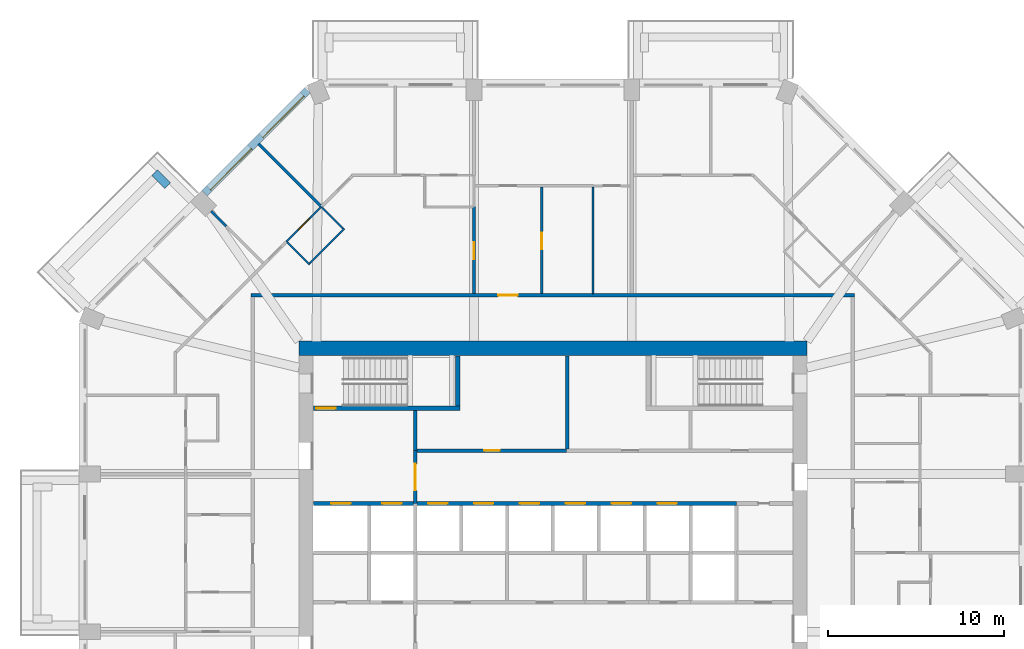
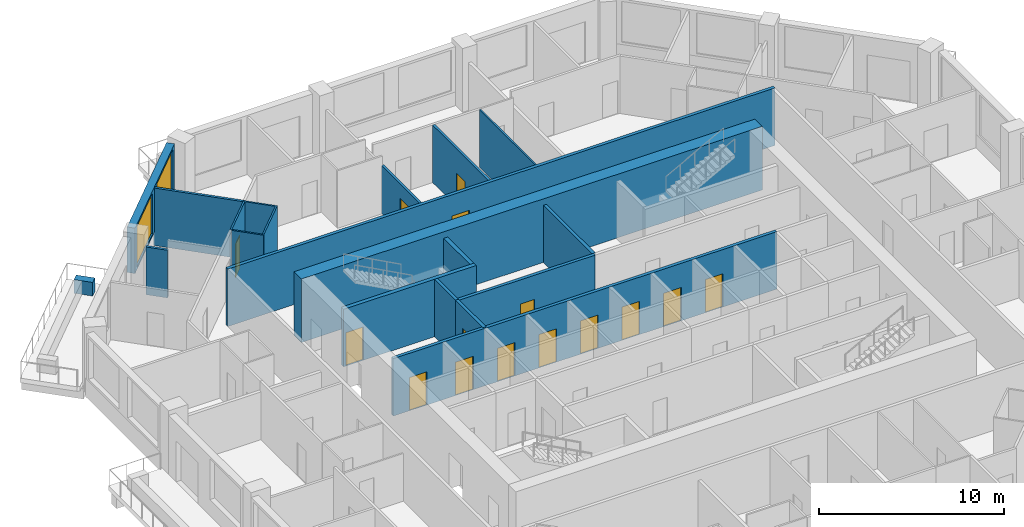
# One storey, part 8 of 13: 20 walls, 15 doors, 2 windows, 17 openings.
"""IFC4 building model written with IfcOpenShell, lengths in metres."""

from ifc_helpers import new_model, si_unit, direction, frame, frame_2d, origin, place, context, subcontext, project, spatial, rectangle, extrude, material, layer, layer_set, type_object, element, fill, save


model = new_model("IFC4")

# Units and contexts
model_context = context("Model", 3, precision=1e-05, world=origin(), true_north=direction((0.0, 1.0)))
body_context = subcontext(model_context, "Body", "Model", "MODEL_VIEW")
ifc_project = project(units=[si_unit("LENGTHUNIT", "METRE"), si_unit("AREAUNIT", "SQUARE_METRE"), si_unit("VOLUMEUNIT", "CUBIC_METRE"), si_unit("PLANEANGLEUNIT", "RADIAN"), si_unit("MASSUNIT", "GRAM", prefix="KILO")], contexts=[model_context])

# Site, building, storey
site_placement = place(None, origin())
site = spatial("IfcSite", under=ifc_project, at=site_placement, CompositionType="ELEMENT")
building_placement = place(site_placement, origin())
building = spatial("IfcBuilding", under=site, at=building_placement, Name="Msitu Wima Residences", CompositionType="ELEMENT")
storey_placement = place(building_placement, frame((0.0, 0.0, 144.300048828125)))
storey = spatial("IfcBuildingStorey", under=building, at=storey_placement, Name="L33", CompositionType="ELEMENT", Elevation=144.300048828125)

# Wall
ifc_material_1 = material(Name="Facing brick")
ifc_layer_1 = layer(ifc_material_1, 0.06494140625, Name="Facing brick")
ifc_material_2 = material(Name="Concrete C40/50", Category="concrete")
ifc_layer_2 = layer(ifc_material_2, 0.156005859375, Name="Concrete C40/50")
ifc_material_3 = material(Name="Waterproofing membrane")
ifc_layer_3 = layer(ifc_material_3, 0.00390625, Name="Waterproofing membrane")
ifc_material_4 = material(Name="Planting soil and planting")
ifc_layer_4 = layer(ifc_material_4, 0.22509765625, Name="Planting soil and planting")
ifc_layer_set_1 = layer_set([ifc_layer_1, ifc_layer_2, ifc_layer_3, ifc_layer_4], Name="Concrete C40/50")
wall_type_1 = type_object("IfcWallType", Name="Balcony planter PLANTER PL450", PredefinedType="USERDEFINED", material=ifc_layer_set_1)
wall_1_placement = place(storey_placement, frame((-21.829833984375, 20.804443359375, 0.0), z_axis=(0.0, 0.0, 1.0), x_axis=(-0.707106781187, 0.707106781187, 0.0)))
element("IfcWall", 1, at=wall_1_placement, inside=storey, type_object=wall_type_1, Name="Balcony planter NW1 L33", ObjectType="PLANTER", PredefinedType="USERDEFINED", context=body_context, shape_type="SweptSolid", body=[
    extrude(rectangle(XDim=1.050048828125, YDim=0.449951171875, at=frame_2d((0.52490234375, 0.0))), origin(), (0.0, 0.0, 1.0), 0.89990234375),
])

# Wall, openings, windows
ifc_material_5 = material(Name="Brick (red buff mix)", Category="masonry")
ifc_layer_5 = layer(ifc_material_5, 0.449951171875)
ifc_layer_set_2 = layer_set([ifc_layer_5], Name="Brick (red buff mix)")
wall_type_2 = type_object("IfcWallType", Name="Brick infill wall BW450", PredefinedType="SOLIDWALL", material=ifc_layer_set_2)
wall_2_placement = place(storey_placement, frame((-13.909423828125, 26.214599609375, 0.89990234375), z_axis=(0.0, 0.0, 1.0), x_axis=(-0.707106781187, -0.707106781187, 0.0)))
wall_2 = element("IfcWall", 2, at=wall_2_placement, inside=storey, type_object=wall_type_2, Name="Brick infill wall L33 NW0", PredefinedType="SOLIDWALL", context=body_context, shape_type="SweptSolid", body=[
    extrude(rectangle(XDim=8.251220703125, YDim=0.449951171875, at=frame_2d((4.12548828125, 0.0))), origin(), (0.0, 0.0, 1.0), 3.0),
])
opening_1_placement = place(wall_2_placement, frame((0.37548828125, 0.0, 0.14990234375)))
opening_1 = element("IfcOpeningElement", 3, at=opening_1_placement, cuts=wall_2, Name="Opening W33.013", PredefinedType="OPENING", context=body_context, shape_type="SweptSolid", body=[
    extrude(rectangle(XDim=3.300048828125, YDim=2.699951171875, at=frame_2d((1.64990234375, 1.35009765625))), frame((0.0, 0.23486328125, 0.0), z_axis=(0.0, -1.0, 0.0), x_axis=(1.0, 0.0, 0.0)), (0.0, 0.0, 1.0), 0.469970703125),
])
opening_2_placement = place(wall_2_placement, frame((4.57568359375, 0.0, 0.14990234375)))
opening_2 = element("IfcOpeningElement", 4, at=opening_2_placement, cuts=wall_2, Name="Opening W33.014", PredefinedType="OPENING", context=body_context, shape_type="SweptSolid", body=[
    extrude(rectangle(XDim=3.300048828125, YDim=2.699951171875, at=frame_2d((1.64990234375, 1.35009765625))), frame((0.0, 0.23486328125, 0.0), z_axis=(0.0, -1.0, 0.0), x_axis=(1.0, 0.0, 0.0)), (0.0, 0.0, 1.0), 0.469970703125),
])
ifc_material_6 = material(Name="Anodised aluminium, bronze finish, clear low-emissivity double glazing", Category="aluminium")
window_type = type_object("IfcWindowType", Name="Window W3300x2700", PartitioningType="DOUBLE_PANEL_VERTICAL", PredefinedType="WINDOW", material=ifc_material_6)
window_1_placement = place(opening_1_placement, origin())
window_1 = element("IfcWindow", 5, at=window_1_placement, inside=storey, type_object=window_type, Name="Window L33 NW0.1", OverallHeight=2.699951171875, OverallWidth=3.300048828125, PartitioningType="SINGLE_PANEL", PredefinedType="WINDOW", context=body_context, shape_type="SweptSolid", body=[
    extrude(rectangle(XDim=3.300048828125, YDim=2.699951171875, at=frame_2d((1.64990234375, 1.35009765625))), frame((0.0, 0.135009765625, 0.0), z_axis=(0.0, -1.0, 0.0), x_axis=(1.0, 0.0, 0.0)), (0.0, 0.0, 1.0), 0.06005859375),
])
fill(opening_1, window_1)
window_2_placement = place(opening_2_placement, origin())
window_2 = element("IfcWindow", 6, at=window_2_placement, inside=storey, type_object=window_type, Name="Window L33 NW0.2", OverallHeight=2.699951171875, OverallWidth=3.300048828125, PartitioningType="SINGLE_PANEL", PredefinedType="WINDOW", context=body_context, shape_type="SweptSolid", body=[
    extrude(rectangle(XDim=3.300048828125, YDim=2.699951171875, at=frame_2d((1.64990234375, 1.35009765625))), frame((0.0, 0.135009765625, 0.0), z_axis=(0.0, -1.0, 0.0), x_axis=(1.0, 0.0, 0.0)), (0.0, 0.0, 1.0), 0.06005859375),
])
fill(opening_2, window_2)

# Wall
ifc_material_7 = material(Name="Concrete C70/85", Category="concrete")
ifc_layer_6 = layer(ifc_material_7, 0.800048828125)
ifc_layer_set_3 = layer_set([ifc_layer_6], Name="Concrete C70/85")
wall_type_3 = type_object("IfcWallType", Name="Core wall CW800 C70/85", PredefinedType="SHEAR", material=ifc_layer_set_3)
wall_3_placement = place(storey_placement, frame((-14.39990234375, 11.60009765625, 0.0), z_axis=(0.0, 0.0, 1.0), x_axis=(1.0, 0.0, 0.0)))
element("IfcWall", 7, at=wall_3_placement, inside=storey, type_object=wall_type_3, Name="Core wall", PredefinedType="SHEAR", context=body_context, shape_type="SweptSolid", body=[
    extrude(rectangle(XDim=28.7998046875, YDim=0.800048828125, at=frame_2d((14.39990234375, 0.0))), origin(), (0.0, 0.0, 1.0), 4.199951171875),
])

# Wall, opening, door
ifc_material_8 = material(Name="Plaster")
ifc_layer_7 = layer(ifc_material_8, 0.011962890625, Name="Plaster")
ifc_material_9 = material(Name="Concrete blockwork", Category="masonry")
ifc_layer_8 = layer(ifc_material_9, 0.176025390625, Name="Concrete blockwork")
ifc_layer_9 = layer(ifc_material_8, 0.011962890625, Name="Plaster")
ifc_layer_set_4 = layer_set([ifc_layer_7, ifc_layer_8, ifc_layer_9], Name="Concrete blockwork")
wall_type_4 = type_object("IfcWallType", Name="Corridor wall FW200", PredefinedType="PARTITIONING", material=ifc_layer_set_4)
wall_4_placement = place(storey_placement, frame((-17.10009765625, 14.60009765625, 0.0), z_axis=(0.0, 0.0, 1.0), x_axis=(1.0, 0.0, 0.0)))
wall_4 = element("IfcWall", 8, at=wall_4_placement, inside=storey, type_object=wall_type_4, Name="Corridor wall", PredefinedType="PARTITIONING", context=body_context, shape_type="SweptSolid", body=[
    extrude(rectangle(XDim=34.2001953125, YDim=0.199951171875, at=frame_2d((17.10009765625, 0.0))), origin(), (0.0, 0.0, 1.0), 3.7978515625),
])
opening_3_placement = place(wall_4_placement, frame((14.0, 0.0, 0.0)))
opening_3 = element("IfcOpeningElement", 9, at=opening_3_placement, cuts=wall_4, Name="Opening D33.012", PredefinedType="OPENING", context=body_context, shape_type="SweptSolid", body=[
    extrude(rectangle(XDim=1.10009765625, YDim=2.39990234375, at=frame_2d((0.550048828125, 1.199951171875))), frame((0.0, 0.10986328125, 0.0), z_axis=(0.0, -1.0, 0.0), x_axis=(1.0, 0.0, 0.0)), (0.0, 0.0, 1.0), 0.219970703125),
])
ifc_material_10 = material(Name="Timber flush door, fire resisting, self-closing", Category="wood")
door_type_1 = type_object("IfcDoorType", Name="Flat entrance door D01 1100x2400", OperationType="SINGLE_SWING_LEFT", PredefinedType="DOOR", material=ifc_material_10)
door_1_placement = place(opening_3_placement, origin())
door_1 = element("IfcDoor", 10, at=door_1_placement, inside=storey, type_object=door_type_1, Name="Flat entrance door", OperationType="SINGLE_SWING_LEFT", OverallHeight=2.39990234375, OverallWidth=1.10009765625, PredefinedType="DOOR", context=body_context, shape_type="SweptSolid", body=[
    extrude(rectangle(XDim=1.10009765625, YDim=2.39990234375, at=frame_2d((0.550048828125, 1.199951171875))), frame((0.0, 0.02490234375, 0.0), z_axis=(0.0, -1.0, 0.0), x_axis=(1.0, 0.0, 0.0)), (0.0, 0.0, 1.0), 0.050048828125),
])
fill(opening_3, door_1)

wall_5_placement = place(storey_placement, frame((-7.800048828125, 2.800048828125, 0.0), z_axis=(0.0, 0.0, 1.0), x_axis=(0.0, 1.0, 0.0)))
wall_5 = element("IfcWall", 11, at=wall_5_placement, inside=storey, type_object=wall_type_4, Name="Corridor wall", PredefinedType="PARTITIONING", context=body_context, shape_type="SweptSolid", body=[
    extrude(rectangle(XDim=3.0, YDim=0.199951171875, at=frame_2d((1.5, 0.0))), origin(), (0.0, 0.0, 1.0), 3.7978515625),
])
opening_4_placement = place(wall_5_placement, frame((0.75, 0.0, 0.0)))
opening_4 = element("IfcOpeningElement", 12, at=opening_4_placement, cuts=wall_5, Name="Opening D33.017", PredefinedType="OPENING", context=body_context, shape_type="SweptSolid", body=[
    extrude(rectangle(XDim=1.5, YDim=2.39990234375, at=frame_2d((0.75, 1.199951171875))), frame((0.0, 0.10986328125, 0.0), z_axis=(0.0, -1.0, 0.0), x_axis=(1.0, 0.0, 0.0)), (0.0, 0.0, 1.0), 0.219970703125),
])
ifc_material_11 = material(Name="Steel framed glazed door, fire resisting", Category="steel")
door_type_2 = type_object("IfcDoorType", Name="Lobby door D07 1500x2400", OperationType="DOUBLE_DOOR_SINGLE_SWING", PredefinedType="DOOR", material=ifc_material_11)
door_2_placement = place(opening_4_placement, origin())
door_2 = element("IfcDoor", 13, at=door_2_placement, inside=storey, type_object=door_type_2, Name="Lobby door", OperationType="DOUBLE_DOOR_SINGLE_SWING", OverallHeight=2.39990234375, OverallWidth=1.5, PredefinedType="DOOR", context=body_context, shape_type="SweptSolid", body=[
    extrude(rectangle(XDim=1.5, YDim=2.39990234375, at=frame_2d((0.75, 1.199951171875))), frame((0.0, 0.02490234375, 0.0), z_axis=(0.0, -1.0, 0.0), x_axis=(1.0, 0.0, 0.0)), (0.0, 0.0, 1.0), 0.050048828125),
])
fill(opening_4, door_2)

# Walls
ifc_layer_10 = layer(ifc_material_8, 0.011962890625, Name="Plaster")
ifc_layer_11 = layer(ifc_material_9, 0.1259765625, Name="Concrete blockwork")
ifc_layer_12 = layer(ifc_material_8, 0.011962890625, Name="Plaster")
ifc_layer_set_5 = layer_set([ifc_layer_10, ifc_layer_11, ifc_layer_12], Name="Concrete blockwork")
wall_type_5 = type_object("IfcWallType", Name="Partition PW150", PredefinedType="PARTITIONING", material=ifc_layer_set_5)
wall_6_placement = place(storey_placement, frame((-19.37255859375, 19.37255859375, 0.0), z_axis=(0.0, 0.0, 1.0), x_axis=(0.707106781187, -0.707106781187, 0.0)))
element("IfcWall", 14, at=wall_6_placement, inside=storey, type_object=wall_type_5, Name="Partition", PredefinedType="PARTITIONING", context=body_context, shape_type="SweptSolid", body=[
    extrude(rectangle(XDim=1.209228515625, YDim=0.14990234375, at=frame_2d((0.6044921875, 0.0))), origin(), (0.0, 0.0, 1.0), 3.14990234375),
])
wall_7_placement = place(storey_placement, frame((-16.693359375, 23.1904296875, 0.0), z_axis=(0.0, 0.0, 1.0), x_axis=(0.707106781187, -0.707106781187, 0.0)))
element("IfcWall", 15, at=wall_7_placement, inside=storey, type_object=wall_type_5, Name="Partition", PredefinedType="PARTITIONING", context=body_context, shape_type="SweptSolid", body=[
    extrude(rectangle(XDim=5.0751953125, YDim=0.14990234375, at=frame_2d((2.53759765625, 0.0))), origin(), (0.0, 0.0, 1.0), 3.7978515625),
])

# Wall, opening, door
wall_8_placement = place(storey_placement, frame((-4.46875, 14.699951171875, 0.0), z_axis=(0.0, 0.0, 1.0), x_axis=(0.0, 1.0, 0.0)))
wall_8 = element("IfcWall", 16, at=wall_8_placement, inside=storey, type_object=wall_type_5, Name="Partition", PredefinedType="PARTITIONING", context=body_context, shape_type="SweptSolid", body=[
    extrude(rectangle(XDim=4.920166015625, YDim=0.14990234375, at=frame_2d((2.4599609375, 0.0))), origin(), (0.0, 0.0, 1.0), 3.14990234375),
])
opening_5_placement = place(wall_8_placement, frame((1.949951171875, 0.0, 0.0)))
opening_5 = element("IfcOpeningElement", 17, at=opening_5_placement, cuts=wall_8, Name="Opening D33.044", PredefinedType="OPENING", context=body_context, shape_type="SweptSolid", body=[
    extrude(rectangle(XDim=0.949951171875, YDim=2.199951171875, at=frame_2d((0.47509765625, 1.10009765625))), frame((0.0, 0.0849609375, 0.0), z_axis=(0.0, -1.0, 0.0), x_axis=(1.0, 0.0, 0.0)), (0.0, 0.0, 1.0), 0.169921875),
])
ifc_material_12 = material(Name="Timber flush door", Category="wood")
door_type_3 = type_object("IfcDoorType", Name="Room door D12 950x2200", OperationType="SINGLE_SWING_LEFT", PredefinedType="DOOR", material=ifc_material_12)
door_3_placement = place(opening_5_placement, origin())
door_3 = element("IfcDoor", 18, at=door_3_placement, inside=storey, type_object=door_type_3, Name="Room door", OperationType="SINGLE_SWING_LEFT", OverallHeight=2.199951171875, OverallWidth=0.949951171875, PredefinedType="DOOR", context=body_context, shape_type="SweptSolid", body=[
    extrude(rectangle(XDim=0.949951171875, YDim=2.199951171875, at=frame_2d((0.47509765625, 1.10009765625))), frame((0.0, 0.02490234375, 0.0), z_axis=(0.0, -1.0, 0.0), x_axis=(1.0, 0.0, 0.0)), (0.0, 0.0, 1.0), 0.050048828125),
])
fill(opening_5, door_3)

wall_9_placement = place(storey_placement, frame((-0.63134765625, 14.699951171875, 0.0), z_axis=(0.0, 0.0, 1.0), x_axis=(0.0, 1.0, 0.0)))
wall_9 = element("IfcWall", 19, at=wall_9_placement, inside=storey, type_object=wall_type_5, Name="Partition", PredefinedType="PARTITIONING", context=body_context, shape_type="SweptSolid", body=[
    extrude(rectangle(XDim=6.025146484375, YDim=0.14990234375, at=frame_2d((3.0126953125, 0.0))), origin(), (0.0, 0.0, 1.0), 3.7978515625),
])
opening_6_placement = place(wall_9_placement, frame((2.5, 0.0, 0.0)))
opening_6 = element("IfcOpeningElement", 20, at=opening_6_placement, cuts=wall_9, Name="Opening D33.052", PredefinedType="OPENING", context=body_context, shape_type="SweptSolid", body=[
    extrude(rectangle(XDim=0.949951171875, YDim=2.199951171875, at=frame_2d((0.47509765625, 1.10009765625))), frame((0.0, 0.0849609375, 0.0), z_axis=(0.0, -1.0, 0.0), x_axis=(1.0, 0.0, 0.0)), (0.0, 0.0, 1.0), 0.169921875),
])
door_4_placement = place(opening_6_placement, origin())
door_4 = element("IfcDoor", 21, at=door_4_placement, inside=storey, type_object=door_type_3, Name="Room door", OperationType="SINGLE_SWING_RIGHT", OverallHeight=2.199951171875, OverallWidth=0.949951171875, PredefinedType="DOOR", context=body_context, shape_type="SweptSolid", body=[
    extrude(rectangle(XDim=0.949951171875, YDim=2.199951171875, at=frame_2d((0.47509765625, 1.10009765625))), frame((0.0, 0.02490234375, 0.0), z_axis=(0.0, -1.0, 0.0), x_axis=(1.0, 0.0, 0.0)), (0.0, 0.0, 1.0), 0.050048828125),
])
fill(opening_6, door_4)

# Wall
ifc_layer_13 = layer(ifc_material_8, 0.011962890625, Name="Plaster")
ifc_material_13 = material(Name="Reinforced concrete blockwork", Category="masonry")
ifc_layer_14 = layer(ifc_material_13, 0.176025390625, Name="Reinforced concrete blockwork")
ifc_layer_15 = layer(ifc_material_8, 0.011962890625, Name="Plaster")
ifc_layer_set_6 = layer_set([ifc_layer_13, ifc_layer_14, ifc_layer_15], Name="Reinforced concrete blockwork")
wall_type_6 = type_object("IfcWallType", Name="Plant and riser wall PL200", PredefinedType="PARTITIONING", material=ifc_layer_set_6)
wall_10_placement = place(storey_placement, frame((-7.800048828125, 5.800048828125, 0.0), z_axis=(0.0, 0.0, 1.0), x_axis=(0.0, 1.0, 0.0)))
element("IfcWall", 22, at=wall_10_placement, inside=storey, type_object=wall_type_6, Name="Plant and riser wall", PredefinedType="PARTITIONING", context=body_context, shape_type="SweptSolid", body=[
    extrude(rectangle(XDim=2.27490234375, YDim=0.199951171875, at=frame_2d((1.137451171875, 0.0))), origin(), (0.0, 0.0, 1.0), 3.7978515625),
])

# Wall, opening, door
wall_11_placement = place(storey_placement, frame((-7.699951171875, 5.800048828125, 0.0), z_axis=(0.0, 0.0, 1.0), x_axis=(1.0, 0.0, 0.0)))
wall_11 = element("IfcWall", 23, at=wall_11_placement, inside=storey, type_object=wall_type_6, Name="Plant and riser wall", PredefinedType="PARTITIONING", context=body_context, shape_type="SweptSolid", body=[
    extrude(rectangle(XDim=8.47998046875, YDim=0.199951171875, at=frame_2d((4.239990234375, 0.0))), origin(), (0.0, 0.0, 1.0), 3.7978515625),
])
opening_7_placement = place(wall_11_placement, frame((3.800048828125, 0.0, 0.0)))
opening_7 = element("IfcOpeningElement", 24, at=opening_7_placement, cuts=wall_11, Name="Opening D33.020", PredefinedType="OPENING", context=body_context, shape_type="SweptSolid", body=[
    extrude(rectangle(XDim=0.89990234375, YDim=2.199951171875, at=frame_2d((0.449951171875, 1.10009765625))), frame((0.0, 0.10986328125, 0.0), z_axis=(0.0, -1.0, 0.0), x_axis=(1.0, 0.0, 0.0)), (0.0, 0.0, 1.0), 0.219970703125),
])
door_type_4 = type_object("IfcDoorType", Name="Service door D05 900x2200", OperationType="SINGLE_SWING_LEFT", PredefinedType="DOOR", material=ifc_material_12)
door_5_placement = place(opening_7_placement, origin())
door_5 = element("IfcDoor", 25, at=door_5_placement, inside=storey, type_object=door_type_4, Name="Service door", OperationType="SINGLE_SWING_RIGHT", OverallHeight=2.199951171875, OverallWidth=0.89990234375, PredefinedType="DOOR", context=body_context, shape_type="SweptSolid", body=[
    extrude(rectangle(XDim=0.89990234375, YDim=2.199951171875, at=frame_2d((0.449951171875, 1.10009765625))), frame((0.0, 0.02490234375, 0.0), z_axis=(0.0, -1.0, 0.0), x_axis=(1.0, 0.0, 0.0)), (0.0, 0.0, 1.0), 0.050048828125),
])
fill(opening_7, door_5)

# Wall
wall_12_placement = place(storey_placement, frame((0.800048828125, 5.89990234375, 0.0), z_axis=(0.0, 0.0, 1.0), x_axis=(0.0, 1.0, 0.0)))
element("IfcWall", 26, at=wall_12_placement, inside=storey, type_object=wall_type_6, Name="Plant and riser wall", PredefinedType="PARTITIONING", context=body_context, shape_type="SweptSolid", body=[
    extrude(rectangle(XDim=5.27001953125, YDim=0.199951171875, at=frame_2d((2.635009765625, 0.0))), origin(), (0.0, 0.0, 1.0), 3.7978515625),
])

# Wall, openings, doors
ifc_material_14 = material(Name="Fire-rated board")
ifc_layer_16 = layer(ifc_material_14, 0.02490234375, Name="Fire-rated board")
ifc_material_15 = material(Name="Light-gauge stud framing with mineral wool")
ifc_layer_17 = layer(ifc_material_15, 0.14990234375, Name="Light-gauge stud framing with mineral wool")
ifc_layer_18 = layer(ifc_material_14, 0.02490234375, Name="Fire-rated board")
ifc_layer_set_7 = layer_set([ifc_layer_16, ifc_layer_17, ifc_layer_18], Name="Light-gauge stud framing with mineral wool")
wall_type_7 = type_object("IfcWallType", Name="Shaft wall SH200", PredefinedType="PARTITIONING", material=ifc_layer_set_7)
wall_13_placement = place(storey_placement, frame((-13.570068359375, 2.800048828125, 0.0), z_axis=(0.0, 0.0, 1.0), x_axis=(1.0, 0.0, 0.0)))
wall_13 = element("IfcWall", 27, at=wall_13_placement, inside=storey, type_object=wall_type_7, Name="Shaft wall", PredefinedType="PARTITIONING", context=body_context, shape_type="SweptSolid", body=[
    extrude(rectangle(XDim=23.969970703125, YDim=0.199951171875, at=frame_2d((11.98486328125, 0.0))), origin(), (0.0, 0.0, 1.0), 3.7978515625),
])
opening_8_placement = place(wall_13_placement, frame((1.0, 0.0, 0.0)))
opening_8 = element("IfcOpeningElement", 28, at=opening_8_placement, cuts=wall_13, Name="Opening LD", PredefinedType="OPENING", context=body_context, shape_type="SweptSolid", body=[
    extrude(rectangle(XDim=1.10009765625, YDim=2.199951171875, at=frame_2d((0.550048828125, 1.10009765625))), frame((0.0, 0.10986328125, 0.0), z_axis=(0.0, -1.0, 0.0), x_axis=(1.0, 0.0, 0.0)), (0.0, 0.0, 1.0), 0.219970703125),
])
opening_9_placement = place(wall_13_placement, frame((3.89990234375, 0.0, 0.0)))
opening_9 = element("IfcOpeningElement", 29, at=opening_9_placement, cuts=wall_13, Name="Opening LD", PredefinedType="OPENING", context=body_context, shape_type="SweptSolid", body=[
    extrude(rectangle(XDim=1.10009765625, YDim=2.199951171875, at=frame_2d((0.550048828125, 1.10009765625))), frame((0.0, 0.10986328125, 0.0), z_axis=(0.0, -1.0, 0.0), x_axis=(1.0, 0.0, 0.0)), (0.0, 0.0, 1.0), 0.219970703125),
])
opening_10_placement = place(wall_13_placement, frame((6.5, 0.0, 0.0)))
opening_10 = element("IfcOpeningElement", 30, at=opening_10_placement, cuts=wall_13, Name="Opening LD", PredefinedType="OPENING", context=body_context, shape_type="SweptSolid", body=[
    extrude(rectangle(XDim=1.10009765625, YDim=2.199951171875, at=frame_2d((0.550048828125, 1.10009765625))), frame((0.0, 0.10986328125, 0.0), z_axis=(0.0, -1.0, 0.0), x_axis=(1.0, 0.0, 0.0)), (0.0, 0.0, 1.0), 0.219970703125),
])
opening_11_placement = place(wall_13_placement, frame((9.10009765625, 0.0, 0.0)))
opening_11 = element("IfcOpeningElement", 31, at=opening_11_placement, cuts=wall_13, Name="Opening LD", PredefinedType="OPENING", context=body_context, shape_type="SweptSolid", body=[
    extrude(rectangle(XDim=1.10009765625, YDim=2.199951171875, at=frame_2d((0.550048828125, 1.10009765625))), frame((0.0, 0.10986328125, 0.0), z_axis=(0.0, -1.0, 0.0), x_axis=(1.0, 0.0, 0.0)), (0.0, 0.0, 1.0), 0.219970703125),
])
opening_12_placement = place(wall_13_placement, frame((11.699951171875, 0.0, 0.0)))
opening_12 = element("IfcOpeningElement", 32, at=opening_12_placement, cuts=wall_13, Name="Opening LD", PredefinedType="OPENING", context=body_context, shape_type="SweptSolid", body=[
    extrude(rectangle(XDim=1.10009765625, YDim=2.199951171875, at=frame_2d((0.550048828125, 1.10009765625))), frame((0.0, 0.10986328125, 0.0), z_axis=(0.0, -1.0, 0.0), x_axis=(1.0, 0.0, 0.0)), (0.0, 0.0, 1.0), 0.219970703125),
])
opening_13_placement = place(wall_13_placement, frame((14.300048828125, 0.0, 0.0)))
opening_13 = element("IfcOpeningElement", 33, at=opening_13_placement, cuts=wall_13, Name="Opening LD", PredefinedType="OPENING", context=body_context, shape_type="SweptSolid", body=[
    extrude(rectangle(XDim=1.10009765625, YDim=2.199951171875, at=frame_2d((0.550048828125, 1.10009765625))), frame((0.0, 0.10986328125, 0.0), z_axis=(0.0, -1.0, 0.0), x_axis=(1.0, 0.0, 0.0)), (0.0, 0.0, 1.0), 0.219970703125),
])
opening_14_placement = place(wall_13_placement, frame((16.89990234375, 0.0, 0.0)))
opening_14 = element("IfcOpeningElement", 34, at=opening_14_placement, cuts=wall_13, Name="Opening LD", PredefinedType="OPENING", context=body_context, shape_type="SweptSolid", body=[
    extrude(rectangle(XDim=1.10009765625, YDim=2.199951171875, at=frame_2d((0.550048828125, 1.10009765625))), frame((0.0, 0.10986328125, 0.0), z_axis=(0.0, -1.0, 0.0), x_axis=(1.0, 0.0, 0.0)), (0.0, 0.0, 1.0), 0.219970703125),
])
opening_15_placement = place(wall_13_placement, frame((19.5, 0.0, 0.0)))
opening_15 = element("IfcOpeningElement", 35, at=opening_15_placement, cuts=wall_13, Name="Opening LD", PredefinedType="OPENING", context=body_context, shape_type="SweptSolid", body=[
    extrude(rectangle(XDim=1.10009765625, YDim=2.199951171875, at=frame_2d((0.550048828125, 1.10009765625))), frame((0.0, 0.10986328125, 0.0), z_axis=(0.0, -1.0, 0.0), x_axis=(1.0, 0.0, 0.0)), (0.0, 0.0, 1.0), 0.219970703125),
])
ifc_material_16 = material(Name="Stainless steel centre-opening landing door, rated", Category="steel")
door_type_5 = type_object("IfcDoorType", Name="Lift landing door LD 1100x2200", OperationType="DOUBLE_DOOR_SLIDING", PredefinedType="DOOR", material=ifc_material_16)
door_6_placement = place(opening_8_placement, origin())
door_6 = element("IfcDoor", 36, at=door_6_placement, inside=storey, type_object=door_type_5, Name="Lift landing door LD1", OperationType="DOUBLE_DOOR_SLIDING", OverallHeight=2.199951171875, OverallWidth=1.10009765625, PredefinedType="DOOR", context=body_context, shape_type="SweptSolid", body=[
    extrude(rectangle(XDim=1.10009765625, YDim=2.199951171875, at=frame_2d((0.550048828125, 1.10009765625))), frame((0.0, 0.02490234375, 0.0), z_axis=(0.0, -1.0, 0.0), x_axis=(1.0, 0.0, 0.0)), (0.0, 0.0, 1.0), 0.050048828125),
])
fill(opening_8, door_6)
door_7_placement = place(opening_9_placement, origin())
door_7 = element("IfcDoor", 37, at=door_7_placement, inside=storey, type_object=door_type_5, Name="Lift landing door LD2", OperationType="DOUBLE_DOOR_SLIDING", OverallHeight=2.199951171875, OverallWidth=1.10009765625, PredefinedType="DOOR", context=body_context, shape_type="SweptSolid", body=[
    extrude(rectangle(XDim=1.10009765625, YDim=2.199951171875, at=frame_2d((0.550048828125, 1.10009765625))), frame((0.0, 0.02490234375, 0.0), z_axis=(0.0, -1.0, 0.0), x_axis=(1.0, 0.0, 0.0)), (0.0, 0.0, 1.0), 0.050048828125),
])
fill(opening_9, door_7)
door_8_placement = place(opening_10_placement, origin())
door_8 = element("IfcDoor", 38, at=door_8_placement, inside=storey, type_object=door_type_5, Name="Lift landing door LD4", OperationType="DOUBLE_DOOR_SLIDING", OverallHeight=2.199951171875, OverallWidth=1.10009765625, PredefinedType="DOOR", context=body_context, shape_type="SweptSolid", body=[
    extrude(rectangle(XDim=1.10009765625, YDim=2.199951171875, at=frame_2d((0.550048828125, 1.10009765625))), frame((0.0, 0.02490234375, 0.0), z_axis=(0.0, -1.0, 0.0), x_axis=(1.0, 0.0, 0.0)), (0.0, 0.0, 1.0), 0.050048828125),
])
fill(opening_10, door_8)
door_9_placement = place(opening_11_placement, origin())
door_9 = element("IfcDoor", 39, at=door_9_placement, inside=storey, type_object=door_type_5, Name="Lift landing door LD6", OperationType="DOUBLE_DOOR_SLIDING", OverallHeight=2.199951171875, OverallWidth=1.10009765625, PredefinedType="DOOR", context=body_context, shape_type="SweptSolid", body=[
    extrude(rectangle(XDim=1.10009765625, YDim=2.199951171875, at=frame_2d((0.550048828125, 1.10009765625))), frame((0.0, 0.02490234375, 0.0), z_axis=(0.0, -1.0, 0.0), x_axis=(1.0, 0.0, 0.0)), (0.0, 0.0, 1.0), 0.050048828125),
])
fill(opening_11, door_9)
door_10_placement = place(opening_12_placement, origin())
door_10 = element("IfcDoor", 40, at=door_10_placement, inside=storey, type_object=door_type_5, Name="Lift landing door LD8", OperationType="DOUBLE_DOOR_SLIDING", OverallHeight=2.199951171875, OverallWidth=1.10009765625, PredefinedType="DOOR", context=body_context, shape_type="SweptSolid", body=[
    extrude(rectangle(XDim=1.10009765625, YDim=2.199951171875, at=frame_2d((0.550048828125, 1.10009765625))), frame((0.0, 0.02490234375, 0.0), z_axis=(0.0, -1.0, 0.0), x_axis=(1.0, 0.0, 0.0)), (0.0, 0.0, 1.0), 0.050048828125),
])
fill(opening_12, door_10)
door_11_placement = place(opening_13_placement, origin())
door_11 = element("IfcDoor", 41, at=door_11_placement, inside=storey, type_object=door_type_5, Name="Lift landing door LD10", OperationType="DOUBLE_DOOR_SLIDING", OverallHeight=2.199951171875, OverallWidth=1.10009765625, PredefinedType="DOOR", context=body_context, shape_type="SweptSolid", body=[
    extrude(rectangle(XDim=1.10009765625, YDim=2.199951171875, at=frame_2d((0.550048828125, 1.10009765625))), frame((0.0, 0.02490234375, 0.0), z_axis=(0.0, -1.0, 0.0), x_axis=(1.0, 0.0, 0.0)), (0.0, 0.0, 1.0), 0.050048828125),
])
fill(opening_13, door_11)
door_12_placement = place(opening_14_placement, origin())
door_12 = element("IfcDoor", 42, at=door_12_placement, inside=storey, type_object=door_type_5, Name="Lift landing door LD12", OperationType="DOUBLE_DOOR_SLIDING", OverallHeight=2.199951171875, OverallWidth=1.10009765625, PredefinedType="DOOR", context=body_context, shape_type="SweptSolid", body=[
    extrude(rectangle(XDim=1.10009765625, YDim=2.199951171875, at=frame_2d((0.550048828125, 1.10009765625))), frame((0.0, 0.02490234375, 0.0), z_axis=(0.0, -1.0, 0.0), x_axis=(1.0, 0.0, 0.0)), (0.0, 0.0, 1.0), 0.050048828125),
])
fill(opening_14, door_12)
door_13_placement = place(opening_15_placement, origin())
door_13 = element("IfcDoor", 43, at=door_13_placement, inside=storey, type_object=door_type_5, Name="Lift landing door LD14", OperationType="DOUBLE_DOOR_SLIDING", OverallHeight=2.199951171875, OverallWidth=1.10009765625, PredefinedType="DOOR", context=body_context, shape_type="SweptSolid", body=[
    extrude(rectangle(XDim=1.10009765625, YDim=2.199951171875, at=frame_2d((0.550048828125, 1.10009765625))), frame((0.0, 0.02490234375, 0.0), z_axis=(0.0, -1.0, 0.0), x_axis=(1.0, 0.0, 0.0)), (0.0, 0.0, 1.0), 0.050048828125),
])
fill(opening_15, door_13)

# Wall, opening, door
ifc_material_17 = material(Name="Concrete C50/60", Category="concrete")
ifc_layer_19 = layer(ifc_material_17, 0.25)
ifc_layer_set_8 = layer_set([ifc_layer_19], Name="Concrete C50/60")
wall_type_8 = type_object("IfcWallType", Name="Stair enclosure wall SW250", PredefinedType="SHEAR", material=ifc_layer_set_8)
wall_14_placement = place(storey_placement, frame((-13.570068359375, 8.199951171875, 0.0), z_axis=(0.0, 0.0, 1.0), x_axis=(1.0, 0.0, 0.0)))
wall_14 = element("IfcWall", 44, at=wall_14_placement, inside=storey, type_object=wall_type_8, Name="Stair enclosure wall", PredefinedType="SHEAR", context=body_context, shape_type="SweptSolid", body=[
    extrude(rectangle(XDim=8.295166015625, YDim=0.25, at=frame_2d((4.1474609375, 0.0))), origin(), (0.0, 0.0, 1.0), 3.7978515625),
])
opening_16_placement = place(wall_14_placement, frame((0.14990234375, 0.0, 0.0)))
opening_16 = element("IfcOpeningElement", 45, at=opening_16_placement, cuts=wall_14, Name="Opening D33.034", PredefinedType="OPENING", context=body_context, shape_type="SweptSolid", body=[
    extrude(rectangle(XDim=1.10009765625, YDim=2.199951171875, at=frame_2d((0.550048828125, 1.10009765625))), frame((0.0, 0.135009765625, 0.0), z_axis=(0.0, -1.0, 0.0), x_axis=(1.0, 0.0, 0.0)), (0.0, 0.0, 1.0), 0.27001953125),
])
ifc_material_18 = material(Name="Steel door, fire resisting, panic bar", Category="steel")
door_type_6 = type_object("IfcDoorType", Name="Stair door D06 1100x2200", OperationType="SINGLE_SWING_LEFT", PredefinedType="DOOR", material=ifc_material_18)
door_14_placement = place(opening_16_placement, origin())
door_14 = element("IfcDoor", 46, at=door_14_placement, inside=storey, type_object=door_type_6, Name="Stair door", OperationType="SINGLE_SWING_LEFT", OverallHeight=2.199951171875, OverallWidth=1.10009765625, PredefinedType="DOOR", context=body_context, shape_type="SweptSolid", body=[
    extrude(rectangle(XDim=1.10009765625, YDim=2.199951171875, at=frame_2d((0.550048828125, 1.10009765625))), frame((0.0, 0.02490234375, 0.0), z_axis=(0.0, -1.0, 0.0), x_axis=(1.0, 0.0, 0.0)), (0.0, 0.0, 1.0), 0.050048828125),
])
fill(opening_16, door_14)

# Wall
wall_15_placement = place(storey_placement, frame((-5.39990234375, 8.324951171875, 0.0), z_axis=(0.0, 0.0, 1.0), x_axis=(0.0, 1.0, 0.0)))
element("IfcWall", 47, at=wall_15_placement, inside=storey, type_object=wall_type_8, Name="Stair enclosure wall", PredefinedType="SHEAR", context=body_context, shape_type="SweptSolid", body=[
    extrude(rectangle(XDim=2.844970703125, YDim=0.25, at=frame_2d((1.42236328125, 0.0))), origin(), (0.0, 0.0, 1.0), 3.7978515625),
])

# Wall, opening, door
ifc_material_19 = material(Name="Ceramic tiles")
ifc_layer_20 = layer(ifc_material_19, 0.008056640625, Name="Ceramic tiles")
ifc_material_20 = material(Name="Moisture-resistant board")
ifc_layer_21 = layer(ifc_material_20, 0.012451171875, Name="Moisture-resistant board")
ifc_layer_22 = layer(ifc_material_15, 0.06689453125, Name="Light-gauge stud framing with mineral wool")
ifc_layer_23 = layer(ifc_material_20, 0.012451171875, Name="Moisture-resistant board")
ifc_layer_set_9 = layer_set([ifc_layer_20, ifc_layer_21, ifc_layer_22, ifc_layer_23], Name="Light-gauge stud framing with mineral wool")
wall_type_9 = type_object("IfcWallType", Name="Wet wall PW100", PredefinedType="PARTITIONING", material=ifc_layer_set_9)
wall_16_placement = place(storey_placement, frame((-15.098876953125, 17.635986328125, 0.0), z_axis=(0.0, 0.0, 1.0), x_axis=(0.707106781187, 0.707106781187, 0.0)))
wall_16 = element("IfcWall", 48, at=wall_16_placement, inside=storey, type_object=wall_type_9, Name="Wet wall", PredefinedType="PARTITIONING", context=body_context, shape_type="SweptSolid", body=[
    extrude(rectangle(XDim=2.800048828125, YDim=0.10009765625, at=frame_2d((1.39990234375, 0.0))), origin(), (0.0, 0.0, 1.0), 3.7978515625),
])
opening_17_placement = place(wall_16_placement, frame((0.949951171875, 0.0, 0.0)))
opening_17 = element("IfcOpeningElement", 49, at=opening_17_placement, cuts=wall_16, Name="Opening D33.048", PredefinedType="OPENING", context=body_context, shape_type="SweptSolid", body=[
    extrude(rectangle(XDim=0.89990234375, YDim=2.199951171875, at=frame_2d((0.449951171875, 1.10009765625))), frame((0.0, 0.06005859375, 0.0), z_axis=(0.0, -1.0, 0.0), x_axis=(1.0, 0.0, 0.0)), (0.0, 0.0, 1.0), 0.1201171875),
])
ifc_material_21 = material(Name="Timber flush door, moisture resistant", Category="wood")
door_type_7 = type_object("IfcDoorType", Name="Bathroom door D03 900x2200", OperationType="SINGLE_SWING_LEFT", PredefinedType="DOOR", material=ifc_material_21)
door_15_placement = place(opening_17_placement, origin())
door_15 = element("IfcDoor", 50, at=door_15_placement, inside=storey, type_object=door_type_7, Name="Bathroom door", OperationType="SINGLE_SWING_LEFT", OverallHeight=2.199951171875, OverallWidth=0.89990234375, PredefinedType="DOOR", context=body_context, shape_type="SweptSolid", body=[
    extrude(rectangle(XDim=0.89990234375, YDim=2.199951171875, at=frame_2d((0.449951171875, 1.10009765625))), frame((0.0, 0.02490234375, 0.0), z_axis=(0.0, -1.0, 0.0), x_axis=(1.0, 0.0, 0.0)), (0.0, 0.0, 1.0), 0.050048828125),
])
fill(opening_17, door_15)

# Walls
wall_17_placement = place(storey_placement, frame((-15.0634765625, 17.6005859375, 0.0), z_axis=(0.0, 0.0, 1.0), x_axis=(0.707174592913, -0.707038962956, 0.0)))
element("IfcWall", 51, at=wall_17_placement, inside=storey, type_object=wall_type_9, Name="Wet wall", PredefinedType="PARTITIONING", context=body_context, shape_type="SweptSolid", body=[
    extrude(rectangle(XDim=1.800048828125, YDim=0.10009765625, at=frame_2d((0.89990234375, 0.0))), origin(), (0.0, 0.0, 1.0), 3.7978515625),
])
wall_18_placement = place(storey_placement, frame((-13.79052734375, 16.398681640625, 0.0), z_axis=(0.0, 0.0, 1.0), x_axis=(0.707106781187, 0.707106781187, 0.0)))
element("IfcWall", 52, at=wall_18_placement, inside=storey, type_object=wall_type_9, Name="Wet wall", PredefinedType="PARTITIONING", context=body_context, shape_type="SweptSolid", body=[
    extrude(rectangle(XDim=2.7998046875, YDim=0.10009765625, at=frame_2d((1.39990234375, 0.0))), origin(), (0.0, 0.0, 1.0), 3.7978515625),
])
wall_19_placement = place(storey_placement, frame((-13.104736328125, 19.601806640625, 0.0), z_axis=(0.0, 0.0, 1.0), x_axis=(0.707106781187, -0.707106781187, 0.0)))
element("IfcWall", 53, at=wall_19_placement, inside=storey, type_object=wall_type_9, Name="Wet wall", PredefinedType="PARTITIONING", context=body_context, shape_type="SweptSolid", body=[
    extrude(rectangle(XDim=1.730224609375, YDim=0.10009765625, at=frame_2d((0.865234375, 0.0))), origin(), (0.0, 0.0, 1.0), 3.7978515625),
])
wall_20_placement = place(storey_placement, frame((2.2685546875, 14.699951171875, 0.0), z_axis=(0.0, 0.0, 1.0), x_axis=(0.0, 1.0, 0.0)))
element("IfcWall", 54, at=wall_20_placement, inside=storey, type_object=wall_type_9, Name="Wet wall", PredefinedType="PARTITIONING", context=body_context, shape_type="SweptSolid", body=[
    extrude(rectangle(XDim=6.025146484375, YDim=0.10009765625, at=frame_2d((3.0126953125, 0.0))), origin(), (0.0, 0.0, 1.0), 3.7978515625),
])

save(model, "model.ifc")
